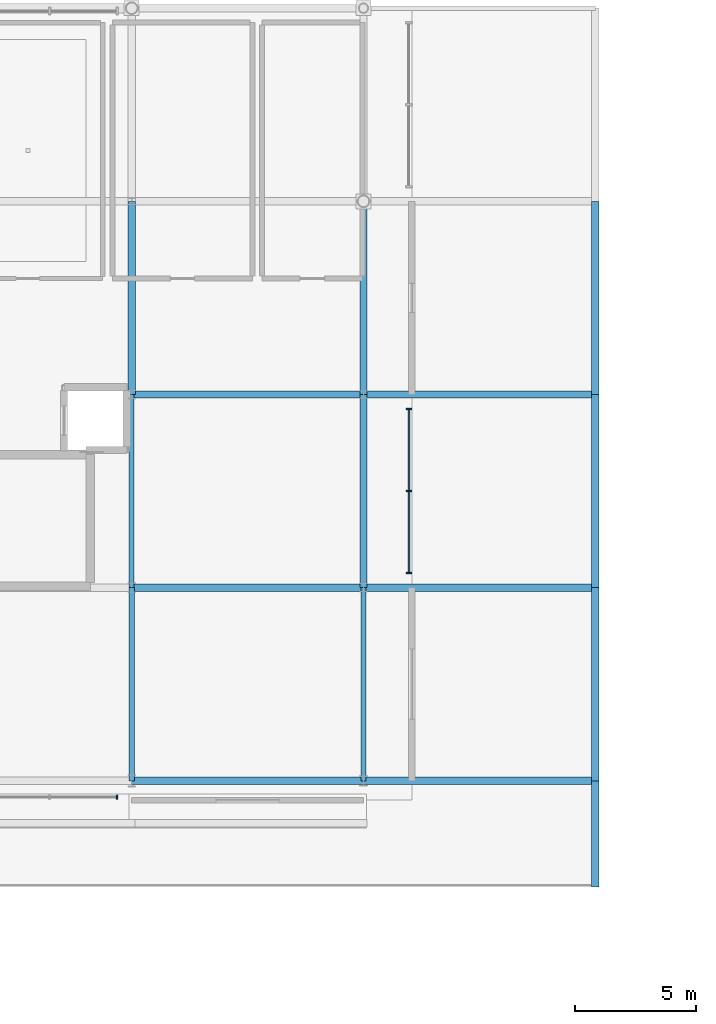
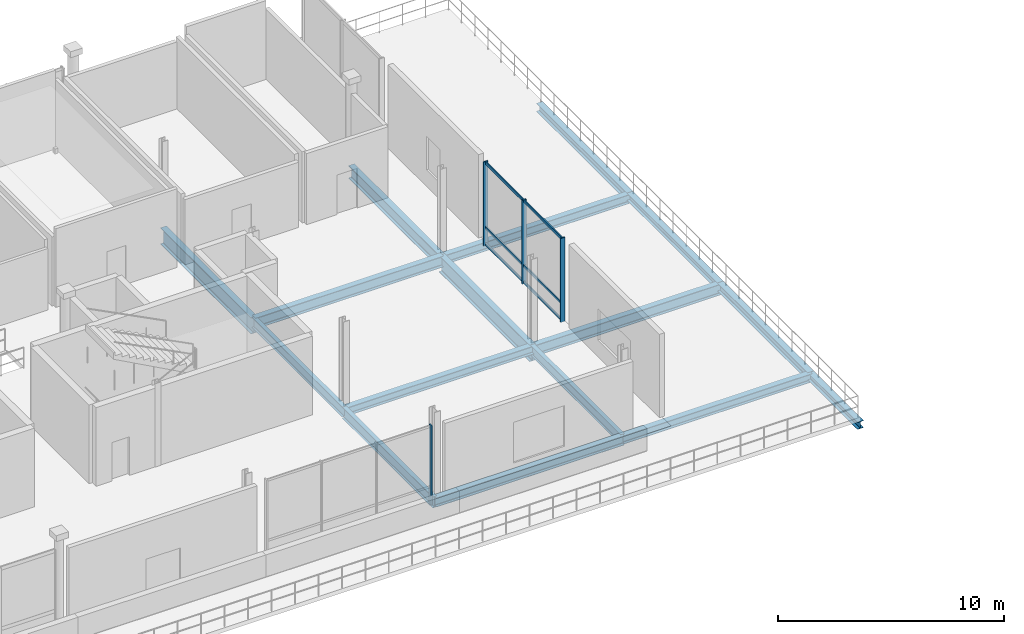
# One storey, part 17 of 36: 16 beams, 7 members, 2 elements without a shape of their own.
"""IFC4 building model written with IfcOpenShell, lengths in metres."""

from ifc_helpers import new_model, si_unit, direction, frame, origin, origin_2d, place, context, subcontext, project, spatial, rectangle, i_section, extrude, material, material_profile, profile_set, type_object, element, aggregate, save


model = new_model("IFC4")

# Units and contexts
model_context = context("Model", 3, precision=1e-05, world=origin(), true_north=direction((0.0, 1.0)))
body_context = subcontext(model_context, "Body", "Model", "MODEL_VIEW")
ifc_project = project(units=[si_unit("LENGTHUNIT", "METRE"), si_unit("AREAUNIT", "SQUARE_METRE"), si_unit("VOLUMEUNIT", "CUBIC_METRE"), si_unit("PLANEANGLEUNIT", "RADIAN"), si_unit("MASSUNIT", "GRAM", prefix="KILO")], contexts=[model_context])

# Site, building, storey
site_placement = place(None, origin())
site = spatial("IfcSite", under=ifc_project, at=site_placement, CompositionType="ELEMENT")
building_placement = place(site_placement, origin())
building = spatial("IfcBuilding", under=site, at=building_placement, Name="Danafjord Basin Convention Centre", CompositionType="ELEMENT")
storey_placement = place(building_placement, frame((0.0, 0.0, 20.39990234375)))
storey = spatial("IfcBuildingStorey", under=building, at=storey_placement, Name="L04", CompositionType="ELEMENT", Elevation=20.39990234375)

# Beams
ifc_material_1 = material(Name="Steel S355", Category="steel")
ifc_material_profile_1 = material_profile(ifc_material_1, i_section(OverallWidth=0.300048828125, OverallDepth=0.389892578125, WebThickness=0.010986328125, FlangeThickness=0.01904296875, FilletRadius=0.027099609375, at=origin_2d()), Name="HEA 400")
ifc_profile_set_1 = profile_set([ifc_material_profile_1], Name="Steel S355")
beam_type_1 = type_object("IfcBeamType", Name="BEAM-BM-HEA400", PredefinedType="BEAM", material=ifc_profile_set_1)
beam_1_placement = place(storey_placement, frame((115.199951171875, 3.60009765625, -0.4248046875), z_axis=(0.0, 1.0, 0.0), x_axis=(-1.0, 0.0, 0.0)))
element("IfcBeam", 1, at=beam_1_placement, inside=storey, type_object=beam_type_1, Name="L04 terrace support girder", PredefinedType="BEAM", context=body_context, shape_type="SweptSolid", body=[
    extrude(i_section(OverallWidth=0.300048828125, OverallDepth=0.389892578125, WebThickness=0.010986328125, FlangeThickness=0.01904296875, FilletRadius=0.027099609375, at=origin_2d()), origin(), (0.0, 0.0, 1.0), 4.39990234375),
])
ifc_material_profile_2 = material_profile(ifc_material_1, i_section(OverallWidth=0.300048828125, OverallDepth=0.489990234375, WebThickness=0.011962890625, FlangeThickness=0.02294921875, FilletRadius=0.027099609375, at=origin_2d()), Name="HEA 500")
ifc_profile_set_2 = profile_set([ifc_material_profile_2], Name="Steel S355")
beam_type_2 = type_object("IfcBeamType", Name="BEAM-BM-HEA500", PredefinedType="BEAM", material=ifc_profile_set_2)
beam_2_placement = place(storey_placement, frame((105.60009765625, 24.0, -0.470947265625), z_axis=(1.0, 0.0, 0.0), x_axis=(0.0, 1.0, 0.0)))
element("IfcBeam", 2, at=beam_2_placement, inside=storey, type_object=beam_type_2, Name="L04 girder BM-HEA500", PredefinedType="BEAM", context=body_context, shape_type="SweptSolid", body=[
    extrude(i_section(OverallWidth=0.300048828125, OverallDepth=0.489990234375, WebThickness=0.011962890625, FlangeThickness=0.02294921875, FilletRadius=0.027099609375, at=origin_2d()), origin(), (0.0, 0.0, 1.0), 9.599853515625),
])
ifc_material_profile_3 = material_profile(ifc_material_1, i_section(OverallWidth=0.300048828125, OverallDepth=0.590087890625, WebThickness=0.012939453125, FlangeThickness=0.02490234375, FilletRadius=0.027099609375, at=origin_2d()), Name="HEA 600")
ifc_profile_set_3 = profile_set([ifc_material_profile_3], Name="Steel S355")
beam_type_3 = type_object("IfcBeamType", Name="BEAM-BM-HEA600", PredefinedType="BEAM", material=ifc_profile_set_3)
beam_3_placement = place(storey_placement, frame((96.0, 24.0, -0.518798828125), z_axis=(1.0, 0.0, 0.0), x_axis=(0.0, 1.0, 0.0)))
element("IfcBeam", 3, at=beam_3_placement, inside=storey, type_object=beam_type_3, Name="L04 girder BM-HEA600", PredefinedType="BEAM", context=body_context, shape_type="SweptSolid", body=[
    extrude(i_section(OverallWidth=0.300048828125, OverallDepth=0.590087890625, WebThickness=0.012939453125, FlangeThickness=0.02490234375, FilletRadius=0.027099609375, at=origin_2d()), origin(), (0.0, 0.0, 1.0), 9.60009765625),
])
beam_4_placement = place(storey_placement, frame((105.60009765625, 16.0, -0.52099609375), z_axis=(1.0, 0.0, 0.0), x_axis=(0.0, 1.0, 0.0)))
element("IfcBeam", 4, at=beam_4_placement, inside=storey, type_object=beam_type_3, Name="L04 girder BM-HEA600", PredefinedType="BEAM", context=body_context, shape_type="SweptSolid", body=[
    extrude(i_section(OverallWidth=0.300048828125, OverallDepth=0.590087890625, WebThickness=0.012939453125, FlangeThickness=0.02490234375, FilletRadius=0.027099609375, at=origin_2d()), origin(), (0.0, 0.0, 1.0), 9.599853515625),
])
ifc_material_profile_4 = material_profile(ifc_material_1, i_section(OverallWidth=0.300048828125, OverallDepth=0.449951171875, WebThickness=0.013916015625, FlangeThickness=0.02587890625, FilletRadius=0.027099609375, at=origin_2d()), Name="HEB 450")
ifc_profile_set_4 = profile_set([ifc_material_profile_4], Name="Steel S355")
beam_type_4 = type_object("IfcBeamType", Name="BEAM-BM-HEB450", PredefinedType="BEAM", material=ifc_profile_set_4)
beam_5_placement = place(storey_placement, frame((96.0, 16.0, -0.448974609375), z_axis=(1.0, 0.0, 0.0), x_axis=(0.0, 1.0, 0.0)))
element("IfcBeam", 5, at=beam_5_placement, inside=storey, type_object=beam_type_4, Name="L04 girder BM-HEB450", PredefinedType="BEAM", context=body_context, shape_type="SweptSolid", body=[
    extrude(i_section(OverallWidth=0.300048828125, OverallDepth=0.449951171875, WebThickness=0.013916015625, FlangeThickness=0.02587890625, FilletRadius=0.027099609375, at=origin_2d()), origin(), (0.0, 0.0, 1.0), 9.60009765625),
])
beam_6_placement = place(storey_placement, frame((105.60009765625, 8.0, -0.450927734375), z_axis=(1.0, 0.0, 0.0), x_axis=(0.0, 1.0, 0.0)))
element("IfcBeam", 6, at=beam_6_placement, inside=storey, type_object=beam_type_4, Name="L04 girder BM-HEB450", PredefinedType="BEAM", context=body_context, shape_type="SweptSolid", body=[
    extrude(i_section(OverallWidth=0.300048828125, OverallDepth=0.449951171875, WebThickness=0.013916015625, FlangeThickness=0.02587890625, FilletRadius=0.027099609375, at=origin_2d()), origin(), (0.0, 0.0, 1.0), 9.599853515625),
])
ifc_material_profile_5 = material_profile(ifc_material_1, i_section(OverallWidth=0.300048828125, OverallDepth=0.5, WebThickness=0.014404296875, FlangeThickness=0.028076171875, FilletRadius=0.027099609375, at=origin_2d()), Name="HEB 500")
ifc_profile_set_5 = profile_set([ifc_material_profile_5], Name="Steel S355")
beam_type_5 = type_object("IfcBeamType", Name="BEAM-BM-HEB500", PredefinedType="BEAM", material=ifc_profile_set_5)
beam_7_placement = place(storey_placement, frame((96.0, 8.0, -0.475830078125), z_axis=(1.0, 0.0, 0.0), x_axis=(0.0, 1.0, 0.0)))
element("IfcBeam", 7, at=beam_7_placement, inside=storey, type_object=beam_type_5, Name="L04 girder BM-HEB500", PredefinedType="BEAM", context=body_context, shape_type="SweptSolid", body=[
    extrude(i_section(OverallWidth=0.300048828125, OverallDepth=0.5, WebThickness=0.014404296875, FlangeThickness=0.028076171875, FilletRadius=0.027099609375, at=origin_2d()), origin(), (0.0, 0.0, 1.0), 9.60009765625),
])
ifc_material_profile_6 = material_profile(ifc_material_1, i_section(OverallWidth=0.300048828125, OverallDepth=0.699951171875, WebThickness=0.01708984375, FlangeThickness=0.031982421875, FilletRadius=0.027099609375, at=origin_2d()), Name="HEB 700")
ifc_profile_set_6 = profile_set([ifc_material_profile_6], Name="Steel S355")
beam_type_6 = type_object("IfcBeamType", Name="BEAM-BM-HEB700", PredefinedType="BEAM", material=ifc_profile_set_6)
beam_8_placement = place(storey_placement, frame((105.60009765625, 24.0, -0.573974609375), z_axis=(0.0, 1.0, 0.0), x_axis=(-1.0, 0.0, 0.0)))
element("IfcBeam", 8, at=beam_8_placement, inside=storey, type_object=beam_type_6, Name="L04 transverse girder BM-HEB700", PredefinedType="BEAM", context=body_context, shape_type="SweptSolid", body=[
    extrude(i_section(OverallWidth=0.300048828125, OverallDepth=0.699951171875, WebThickness=0.01708984375, FlangeThickness=0.031982421875, FilletRadius=0.027099609375, at=origin_2d()), origin(), (0.0, 0.0, 1.0), 8.0),
])
ifc_material_profile_7 = material_profile(ifc_material_1, i_section(OverallWidth=0.300048828125, OverallDepth=0.89990234375, WebThickness=0.0185546875, FlangeThickness=0.034912109375, FilletRadius=0.030029296875, at=origin_2d()), Name="HEB 900")
ifc_profile_set_7 = profile_set([ifc_material_profile_7], Name="Steel S355")
beam_type_7 = type_object("IfcBeamType", Name="BEAM-BM-HEB900", PredefinedType="BEAM", material=ifc_profile_set_7)
for number, where, z_axis, x_axis, name in (
    (9, (96.0, 24.0, -0.673828125), (0.0, 1.0, 0.0), (-1.0, 0.0, 0.0), "L04 transverse girder BM-HEB900"),
    (10, (105.60009765625, 16.0, -0.673828125), (0.0, 1.0, 0.0), (-1.0, 0.0, 0.0), "L04 transverse girder BM-HEB900"),
):
    element("IfcBeam", number, at=place(storey_placement, frame(where, z_axis=z_axis, x_axis=x_axis)), inside=storey, type_object=beam_type_7, Name=name, PredefinedType="BEAM", context=body_context, shape_type="SweptSolid", body=[
        extrude(i_section(OverallWidth=0.300048828125, OverallDepth=0.89990234375, WebThickness=0.0185546875, FlangeThickness=0.034912109375, FilletRadius=0.030029296875, at=origin_2d()), origin(), (0.0, 0.0, 1.0), 8.0),
    ])
ifc_material_profile_8 = material_profile(ifc_material_1, i_section(OverallWidth=0.2099609375, OverallDepth=0.550048828125, WebThickness=0.010986328125, FlangeThickness=0.01708984375, FilletRadius=0.02392578125, at=origin_2d()), Name="IPE 550")
ifc_profile_set_8 = profile_set([ifc_material_profile_8], Name="Steel S355")
beam_type_8 = type_object("IfcBeamType", Name="BEAM-BM-IPE550", PredefinedType="BEAM", material=ifc_profile_set_8)
for number, where, z_axis, x_axis, name in (
    (11, (96.0, 16.0, -0.4990234375), (0.0, 1.0, 0.0), (-1.0, 0.0, 0.0), "L04 transverse girder BM-IPE550"),
    (12, (105.60009765625, 8.0, -0.4990234375), (0.0, 1.0, 0.0), (-1.0, 0.0, 0.0), "L04 transverse girder BM-IPE550"),
):
    element("IfcBeam", number, at=place(storey_placement, frame(where, z_axis=z_axis, x_axis=x_axis)), inside=storey, type_object=beam_type_8, Name=name, PredefinedType="BEAM", context=body_context, shape_type="SweptSolid", body=[
        extrude(i_section(OverallWidth=0.2099609375, OverallDepth=0.550048828125, WebThickness=0.010986328125, FlangeThickness=0.01708984375, FilletRadius=0.02392578125, at=origin_2d()), origin(), (0.0, 0.0, 1.0), 8.0),
    ])
ifc_material_profile_9 = material_profile(ifc_material_1, i_section(OverallWidth=0.219970703125, OverallDepth=0.60009765625, WebThickness=0.011962890625, FlangeThickness=0.01904296875, FilletRadius=0.02392578125, at=origin_2d()), Name="IPE 600")
ifc_profile_set_9 = profile_set([ifc_material_profile_9], Name="Steel S355")
beam_type_9 = type_object("IfcBeamType", Name="BEAM-BM-IPE600", PredefinedType="BEAM", material=ifc_profile_set_9)
beam_9_placement = place(storey_placement, frame((96.0, 8.0, -0.52392578125), z_axis=(0.0, 1.0, 0.0), x_axis=(-1.0, 0.0, 0.0)))
element("IfcBeam", 13, at=beam_9_placement, inside=storey, type_object=beam_type_9, Name="L04 transverse girder BM-IPE600", PredefinedType="BEAM", context=body_context, shape_type="SweptSolid", body=[
    extrude(i_section(OverallWidth=0.219970703125, OverallDepth=0.60009765625, WebThickness=0.011962890625, FlangeThickness=0.01904296875, FilletRadius=0.02392578125, at=origin_2d()), origin(), (0.0, 0.0, 1.0), 8.0),
])
ifc_material_profile_10 = material_profile(ifc_material_1, i_section(OverallWidth=0.300048828125, OverallDepth=0.39990234375, WebThickness=0.013427734375, FlangeThickness=0.02392578125, FilletRadius=0.027099609375, at=origin_2d()), Name="HEB 400")
ifc_profile_set_10 = profile_set([ifc_material_profile_10], Name="Steel S355")
beam_type_10 = type_object("IfcBeamType", Name="BEAM-SP-HEB400", PredefinedType="SPANDREL", material=ifc_profile_set_10)
beam_10_placement = place(storey_placement, frame((115.199951171875, 16.0, -0.42578125), z_axis=(0.0, 1.0, 0.0), x_axis=(-1.0, 0.0, 0.0)))
element("IfcBeam", 14, at=beam_10_placement, inside=storey, type_object=beam_type_10, Name="L04 transverse girder SP-HEB400", PredefinedType="SPANDREL", context=body_context, shape_type="SweptSolid", body=[
    extrude(i_section(OverallWidth=0.300048828125, OverallDepth=0.39990234375, WebThickness=0.013427734375, FlangeThickness=0.02392578125, FilletRadius=0.027099609375, at=origin_2d()), origin(), (0.0, 0.0, 1.0), 8.0),
])
ifc_material_profile_11 = material_profile(ifc_material_1, i_section(OverallWidth=0.300048828125, OverallDepth=0.449951171875, WebThickness=0.013916015625, FlangeThickness=0.02587890625, FilletRadius=0.027099609375, at=origin_2d()), Name="HEB 450")
ifc_profile_set_11 = profile_set([ifc_material_profile_11], Name="Steel S355")
beam_type_11 = type_object("IfcBeamType", Name="BEAM-SP-HEB450", PredefinedType="SPANDREL", material=ifc_profile_set_11)
for number, where, z_axis, x_axis, name in (
    (15, (115.199951171875, 8.0, -0.450927734375), (0.0, 1.0, 0.0), (-1.0, 0.0, 0.0), "L04 transverse girder SP-HEB450"),
    (16, (115.199951171875, 24.0, -0.450927734375), (0.0, 1.0, 0.0), (-1.0, 0.0, 0.0), "L04 transverse girder SP-HEB450"),
):
    element("IfcBeam", number, at=place(storey_placement, frame(where, z_axis=z_axis, x_axis=x_axis)), inside=storey, type_object=beam_type_11, Name=name, PredefinedType="SPANDREL", context=body_context, shape_type="SweptSolid", body=[
        extrude(i_section(OverallWidth=0.300048828125, OverallDepth=0.449951171875, WebThickness=0.013916015625, FlangeThickness=0.02587890625, FilletRadius=0.027099609375, at=origin_2d()), origin(), (0.0, 0.0, 1.0), 8.0),
    ])

# Curtain wall, member
ifc_material_2 = material(Name="Anodised aluminium and triple glazing", Category="aluminium")
curtain_wall_type = type_object("IfcCurtainWallType", Name="CW-CW-TERR", PredefinedType="NOTDEFINED", material=ifc_material_2)
curtain_wall_1_placement = place(storey_placement, origin())
curtain_wall_1 = element("IfcCurtainWall", 17, at=curtain_wall_1_placement, inside=storey, type_object=curtain_wall_type, Name="L04 CW-TERR unitised curtain wall bay 36", PredefinedType="NOTDEFINED")
ifc_material_3 = material(Name="Anodised aluminium EN AW-6060", Category="aluminium")
ifc_material_profile_12 = material_profile(ifc_material_3, rectangle(XDim=0.06005859375, YDim=0.179931640625, at=origin_2d()), Name="MULL 60x180")
ifc_profile_set_12 = profile_set([ifc_material_profile_12], Name="Anodised aluminium EN AW-6060")
member_type_1 = type_object("IfcMemberType", Name="MEM-ML-180", PredefinedType="MULLION", material=ifc_profile_set_12)
member_1_placement = place(storey_placement, frame((95.39990234375, 7.320068359375, -0.02490234375), z_axis=(0.0, 0.0, 1.0), x_axis=(1.0, 0.0, 0.0)))
member_1 = element("IfcMember", 18, at=member_1_placement, type_object=member_type_1, Name="CW-L04-036 mullion 4", PredefinedType="MULLION", context=body_context, shape_type="SweptSolid", body=[
    extrude(rectangle(XDim=0.06005859375, YDim=0.179931640625, at=origin_2d()), origin(), (0.0, 0.0, 1.0), 4.294921875),
])
aggregate(curtain_wall_1, [member_1])

# Curtain wall, members
curtain_wall_2_placement = place(storey_placement, origin())
curtain_wall_2 = element("IfcCurtainWall", 19, at=curtain_wall_2_placement, inside=storey, type_object=curtain_wall_type, Name="L04 CW-TERR unitised curtain wall bay 97", PredefinedType="NOTDEFINED")
ifc_material_profile_13 = material_profile(ifc_material_3, rectangle(XDim=0.06494140625, YDim=0.219970703125, at=origin_2d()), Name="MULL 65x220")
ifc_profile_set_13 = profile_set([ifc_material_profile_13], Name="Anodised aluminium EN AW-6060")
member_type_2 = type_object("IfcMemberType", Name="MEM-ML-220", PredefinedType="MULLION", material=ifc_profile_set_13)
member_2_placement = place(storey_placement, frame((107.47998046875, 16.60009765625, -0.02490234375), z_axis=(0.0, 0.0, 1.0), x_axis=(0.0, 1.0, 0.0)))
member_2 = element("IfcMember", 20, at=member_2_placement, type_object=member_type_2, Name="CW-L04-097 mullion 1", PredefinedType="MULLION", context=body_context, shape_type="SweptSolid", body=[
    extrude(rectangle(XDim=0.06494140625, YDim=0.219970703125, at=origin_2d()), origin(), (0.0, 0.0, 1.0), 4.534912109375),
])
member_3_placement = place(storey_placement, frame((107.47998046875, 20.0, -0.02490234375), z_axis=(0.0, 0.0, 1.0), x_axis=(0.0, 1.0, 0.0)))
member_3 = element("IfcMember", 21, at=member_3_placement, type_object=member_type_2, Name="CW-L04-097 mullion 2", PredefinedType="MULLION", context=body_context, shape_type="SweptSolid", body=[
    extrude(rectangle(XDim=0.06494140625, YDim=0.219970703125, at=origin_2d()), origin(), (0.0, 0.0, 1.0), 4.534912109375),
])
member_4_placement = place(storey_placement, frame((107.47998046875, 23.39990234375, -0.02490234375), z_axis=(0.0, 0.0, 1.0), x_axis=(0.0, 1.0, 0.0)))
member_4 = element("IfcMember", 22, at=member_4_placement, type_object=member_type_2, Name="CW-L04-097 mullion 3", PredefinedType="MULLION", context=body_context, shape_type="SweptSolid", body=[
    extrude(rectangle(XDim=0.06494140625, YDim=0.219970703125, at=origin_2d()), origin(), (0.0, 0.0, 1.0), 4.534912109375),
])
ifc_material_profile_14 = material_profile(ifc_material_3, rectangle(XDim=0.06005859375, YDim=0.14990234375, at=origin_2d()), Name="TRAN 60x150")
ifc_profile_set_14 = profile_set([ifc_material_profile_14], Name="Anodised aluminium EN AW-6060")
member_type_3 = type_object("IfcMemberType", Name="MEM-TR-150", PredefinedType="USERDEFINED", material=ifc_profile_set_14)
member_5_placement = place(storey_placement, frame((107.47998046875, 16.60009765625, 0.06005859375), z_axis=(0.0, 1.0, 0.0), x_axis=(-1.0, 0.0, 0.0)))
member_5 = element("IfcMember", 23, at=member_5_placement, type_object=member_type_3, Name="CW-L04-097 transom 1", ObjectType="TRANSOM", PredefinedType="USERDEFINED", context=body_context, shape_type="SweptSolid", body=[
    extrude(rectangle(XDim=0.06005859375, YDim=0.14990234375, at=origin_2d()), origin(), (0.0, 0.0, 1.0), 6.7998046875),
])
member_6_placement = place(storey_placement, frame((107.47998046875, 16.60009765625, 0.9501953125), z_axis=(0.0, 1.0, 0.0), x_axis=(-1.0, 0.0, 0.0)))
member_6 = element("IfcMember", 24, at=member_6_placement, type_object=member_type_3, Name="CW-L04-097 transom 2", ObjectType="TRANSOM", PredefinedType="USERDEFINED", context=body_context, shape_type="SweptSolid", body=[
    extrude(rectangle(XDim=0.06005859375, YDim=0.14990234375, at=origin_2d()), origin(), (0.0, 0.0, 1.0), 6.7998046875),
])
member_7_placement = place(storey_placement, frame((107.47998046875, 16.60009765625, 4.440185546875), z_axis=(0.0, 1.0, 0.0), x_axis=(-1.0, 0.0, 0.0)))
member_7 = element("IfcMember", 25, at=member_7_placement, type_object=member_type_3, Name="CW-L04-097 transom 3", ObjectType="TRANSOM", PredefinedType="USERDEFINED", context=body_context, shape_type="SweptSolid", body=[
    extrude(rectangle(XDim=0.06005859375, YDim=0.14990234375, at=origin_2d()), origin(), (0.0, 0.0, 1.0), 6.7998046875),
])
aggregate(curtain_wall_2, [member_2, member_3, member_4, member_5, member_6, member_7])

save(model, "model.ifc")
